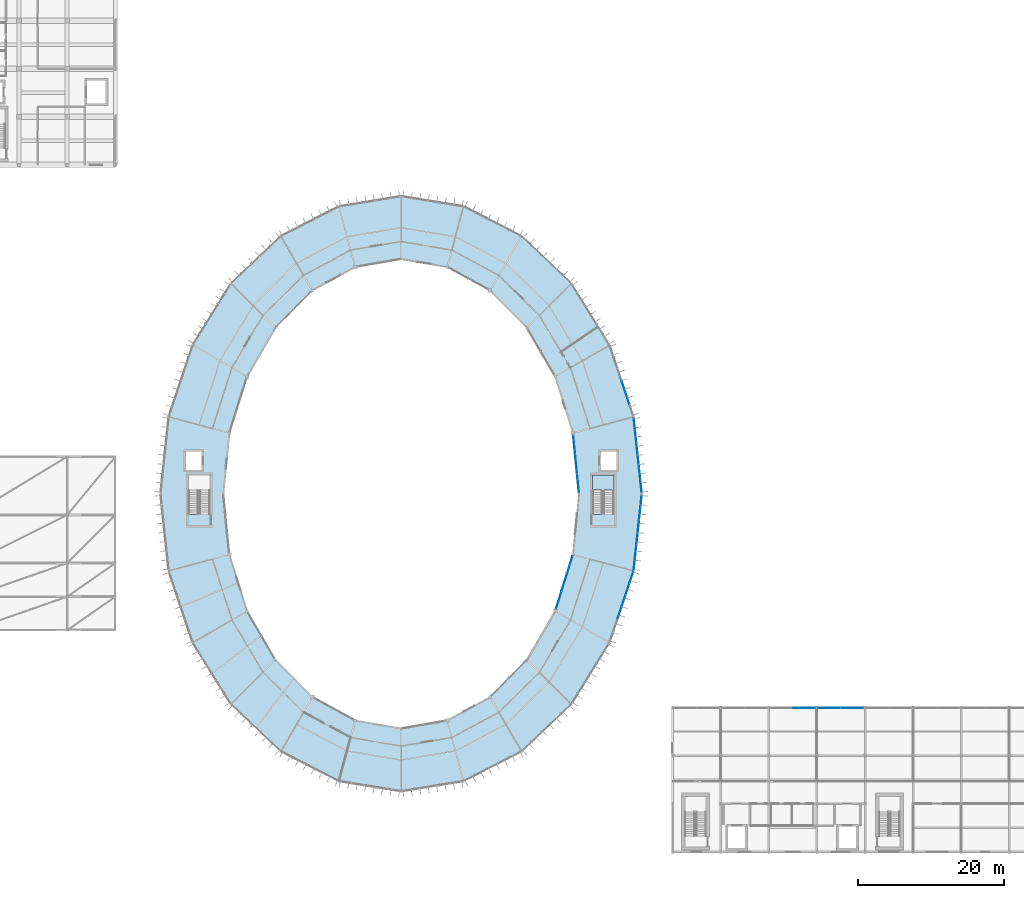
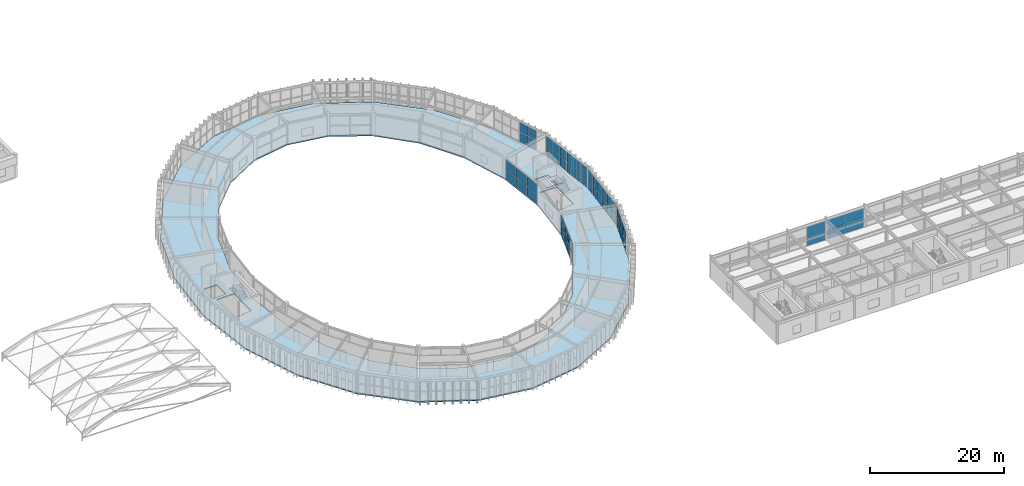
# One storey, part 96 of 134: 54 plates, 2 slabs, 9 elements without a shape of their own.
"""IFC4 building model written with IfcOpenShell, lengths in metres."""

import ifcopenshell
import ifcopenshell.guid

model = None  # the IFC model being written
_history = None  # IfcOwnerHistory: only IFC2X3 demands one
_inside = {}  # id of a spatial element -> (the spatial element, [elements in it])
_under = {}  # id of a project, library or spatial element -> (it, [spatial elements below it])
_declared = {}  # id of a project -> (the project, [libraries it declares])
_typed = {}  # id of a type object -> (the type object, [elements of that type])
_made_of = {}  # id of a material, layer set ... -> (it, [elements and type objects made of it])


def new_model(schema):
    """Start an empty IFC model of exactly this schema.

    Asked for "IFC4X3", IfcOpenShell would pick the latest addendum, in which some entities
    have other attributes; the version numbers below select the first issue.
    IFC2X3 requires an IfcOwnerHistory on every rooted entity: one is made here for all.
    """
    global model, _history
    if schema == "IFC4X3":
        model = ifcopenshell.file(schema_version=(4, 3, 0, 0))
    else:
        model = ifcopenshell.file(schema=schema)
    _inside.clear()
    _under.clear()
    _declared.clear()
    _typed.clear()
    _made_of.clear()
    _history = None
    if model.schema == "IFC2X3":
        org = make("IfcOrganization", Name="unknown")
        user = make(
            "IfcPersonAndOrganization",
            ThePerson=make("IfcPerson", FamilyName="unknown"),
            TheOrganization=org,
        )
        app = make(
            "IfcApplication",
            ApplicationDeveloper=org,
            Version="unknown",
            ApplicationFullName="unknown",
            ApplicationIdentifier="unknown",
        )
        _history = make(
            "IfcOwnerHistory",
            OwningUser=user,
            OwningApplication=app,
            ChangeAction="ADDED",
            CreationDate=0,
        )
    return model


def make(cls, **values):
    """One entity of the class cls with the attributes given. An attribute that is None is left unset."""
    return model.create_entity(
        cls, **{name: value for name, value in values.items() if value is not None}
    )


def rooted(cls, **values):
    """An entity with a GlobalId (a new one), such as an element, a storey or a relation."""
    return make(cls, GlobalId=ifcopenshell.guid.new(), OwnerHistory=_history, **values)


def si_unit(unit_type, name, prefix=None):
    """IfcSIUnit, for example si_unit("LENGTHUNIT", "METRE", prefix="MILLI")."""
    return make("IfcSIUnit", UnitType=unit_type, Prefix=prefix, Name=name)


def assignment(units):
    """IfcUnitAssignment: the units of a project."""
    return None if units is None else make("IfcUnitAssignment", Units=units)


def point(xyz):
    """IfcCartesianPoint."""
    return None if xyz is None else make("IfcCartesianPoint", Coordinates=xyz)


def direction(xyz):
    """IfcDirection."""
    return None if xyz is None else make("IfcDirection", DirectionRatios=xyz)


def frame(location, z_axis=None, x_axis=None):
    """IfcAxis2Placement3D, a coordinate frame: its origin and axes. An axis left out is left unset."""
    return make(
        "IfcAxis2Placement3D",
        Location=point(location),
        Axis=direction(z_axis),
        RefDirection=direction(x_axis),
    )


def frame_2d(location, x_axis=None):
    """IfcAxis2Placement2D, a coordinate frame in the plane: its origin and x axis."""
    return make(
        "IfcAxis2Placement2D", Location=point(location), RefDirection=direction(x_axis)
    )


def origin():
    """The frame at (0, 0, 0) with its axes left unset."""
    return frame((0.0, 0.0, 0.0))


def origin_2d():
    """The frame at (0, 0) in the plane with its x axis left unset."""
    return frame_2d((0.0, 0.0))


def place(relative_to, where):
    """IfcLocalPlacement: puts the frame where relative to a parent placement (None: the world)."""
    return make(
        "IfcLocalPlacement", PlacementRelTo=relative_to, RelativePlacement=where
    )


def context(
    kind, dimensions, precision=None, world=None, true_north=None, identifier=None
):
    """IfcGeometricRepresentationContext, for example the 3D "Model" context."""
    return make(
        "IfcGeometricRepresentationContext",
        ContextIdentifier=identifier,
        ContextType=kind,
        CoordinateSpaceDimension=dimensions,
        Precision=precision,
        WorldCoordinateSystem=world,
        TrueNorth=true_north,
    )


def subcontext(parent, identifier, kind, view, scale=None):
    """IfcGeometricRepresentationSubContext, for example "Body" below "Model"."""
    return make(
        "IfcGeometricRepresentationSubContext",
        ContextIdentifier=identifier,
        ContextType=kind,
        ParentContext=parent,
        TargetScale=scale,
        TargetView=view,
    )


def project(units=None, contexts=None):
    """IfcProject with its units and contexts."""
    return rooted(
        "IfcProject",
        Name="project",
        RepresentationContexts=contexts,
        UnitsInContext=assignment(units),
    )


def spatial(cls, under=None, at=None, **own):
    """A site, building, storey or space (cls), placed at a placement, below another one or the project."""
    s = rooted(cls, ObjectPlacement=at, **own)
    if under is not None:
        _under.setdefault(under.id(), (under, []))[1].append(s)
    return s


def polyline(points):
    """IfcPolyline through the points."""
    return make("IfcPolyline", Points=[point(p) for p in points])


def profile(cls, at=None, kind="AREA", **sizes):
    """A parametric profile (cls). Its sizes go by their IFC names, for example OverallWidth=200.0."""
    return make(cls, ProfileType=kind, Position=at, **sizes)


def rectangle(**sizes):
    """IfcRectangleProfileDef."""
    return profile("IfcRectangleProfileDef", **sizes)


def outline(outer, holes=None, kind="AREA"):
    """IfcArbitraryClosedProfileDef: a profile drawn as a closed curve; with holes, ...WithVoids."""
    if holes is None:
        return make("IfcArbitraryClosedProfileDef", ProfileType=kind, OuterCurve=outer)
    return make(
        "IfcArbitraryProfileDefWithVoids",
        ProfileType=kind,
        OuterCurve=outer,
        InnerCurves=holes,
    )


def extrude(swept, where, along, depth):
    """IfcExtrudedAreaSolid: the profile swept, set in the frame where, extruded along a direction by depth."""
    return make(
        "IfcExtrudedAreaSolid",
        SweptArea=swept,
        Position=where,
        ExtrudedDirection=direction(along),
        Depth=depth,
    )


def shape(context_of_items, identifier, shape_type, items):
    """IfcShapeRepresentation: the items that make up one representation, for example the "Body"."""
    return make(
        "IfcShapeRepresentation",
        ContextOfItems=context_of_items,
        RepresentationIdentifier=identifier,
        RepresentationType=shape_type,
        Items=items,
    )


def material(Name=None, Category=None):
    """IfcMaterial."""
    return make("IfcMaterial", Name=Name, Category=Category)


def layer(
    of_material, thickness, ventilated=None, Name=None, Category=None, Priority=None
):
    """IfcMaterialLayer: one layer of a wall or slab, of a material (None: an air gap)."""
    return make(
        "IfcMaterialLayer",
        Material=of_material,
        LayerThickness=thickness,
        IsVentilated=ventilated,
        Name=Name,
        Category=Category,
        Priority=Priority,
    )


def layer_set(layers, Name=None):
    """IfcMaterialLayerSet."""
    return make("IfcMaterialLayerSet", MaterialLayers=layers, LayerSetName=Name)


def made_of(thing, what):
    """Note that an element or type object is made of a material, layer set ...; save() writes the relation."""
    if what is not None:
        _made_of.setdefault(what.id(), (what, []))[1].append(thing)
    return thing


def type_object(cls, material=None, **own):
    """A type object (cls), such as IfcWallType, which elements share."""
    return made_of(rooted(cls, **own), material)


def element(
    cls,
    number,
    at=None,
    inside=None,
    cuts=None,
    type_object=None,
    material=None,
    context=None,
    identifier="Body",
    shape_type=None,
    held_by="IfcProductDefinitionShape",
    body=None,
    shapes=None,
    **own,
):
    """One element of the class cls, such as IfcWall. Its Tag is "e" and its number.

    at: its placement. inside: the storey or other place that contains it. cuts: it is an
    opening in that element (IfcRelVoidsElement). A single representation is given by context,
    identifier, shape_type and body (its items); several are given by shapes. held_by: the class
    of the entity that holds the representations. save() writes the other relations.
    """
    e = rooted(cls, Tag="e%d" % number, ObjectPlacement=at, **own)
    if body is not None:
        shapes = [shape(context, identifier, shape_type, body)]
    if shapes is not None:
        e.Representation = make(held_by, Representations=shapes)
    if inside is not None:
        _inside.setdefault(inside.id(), (inside, []))[1].append(e)
    if cuts is not None:
        rooted(
            "IfcRelVoidsElement", RelatingBuildingElement=cuts, RelatedOpeningElement=e
        )
    if type_object is not None:
        _typed.setdefault(type_object.id(), (type_object, []))[1].append(e)
    return made_of(e, material)


def aggregate(whole, parts):
    """IfcRelAggregates: a whole, such as a stair, and the parts it consists of."""
    return rooted("IfcRelAggregates", RelatingObject=whole, RelatedObjects=parts)


def save(model, path):
    """Write the relations noted so far, then the file.

    IfcRelAggregates (storeys below a building ...), IfcRelContainedInSpatialStructure (elements
    in a storey), IfcRelDefinesByType, IfcRelAssociatesMaterial and IfcRelDeclares: one each for
    every whole, place, type object, material and project.
    """
    for whole, parts in _under.values():
        aggregate(whole, parts)
    for where, things in _inside.values():
        rooted(
            "IfcRelContainedInSpatialStructure",
            RelatedElements=things,
            RelatingStructure=where,
        )
    for kind, things in _typed.values():
        rooted("IfcRelDefinesByType", RelatedObjects=things, RelatingType=kind)
    for what, things in _made_of.values():
        rooted("IfcRelAssociatesMaterial", RelatedObjects=things, RelatingMaterial=what)
    for by, libraries in _declared.values():
        rooted("IfcRelDeclares", RelatingContext=by, RelatedDefinitions=libraries)
    model.write(path)


model = new_model("IFC4")

# Units and contexts
model_context = context("Model", 3, precision=1e-05, world=origin(), true_north=direction((0.0, 1.0)))
body_context = subcontext(model_context, "Body", "Model", "MODEL_VIEW")
ifc_project = project(units=[si_unit("LENGTHUNIT", "METRE"), si_unit("AREAUNIT", "SQUARE_METRE"), si_unit("VOLUMEUNIT", "CUBIC_METRE"), si_unit("PLANEANGLEUNIT", "RADIAN"), si_unit("MASSUNIT", "GRAM", prefix="KILO")], contexts=[model_context])

# Site, building, storey
site_placement = place(None, origin())
site = spatial("IfcSite", under=ifc_project, at=site_placement, CompositionType="ELEMENT")
building_placement = place(site_placement, origin())
building = spatial("IfcBuilding", under=site, at=building_placement, Name="Karori Crest Natural Sciences Institute", CompositionType="ELEMENT")
storey_placement = place(building_placement, frame((0.0, 0.0, 21.699951171875)))
storey = spatial("IfcBuildingStorey", under=building, at=storey_placement, Name="L05", CompositionType="ELEMENT", Elevation=21.699951171875)

# Curtain wall, plates
ifc_material_1 = material(Name="Anodised architectural aluminium 6063-T6", Category="aluminium")
curtain_wall_type_1 = type_object("IfcCurtainWallType", Name="CWT-01", PredefinedType="NOTDEFINED", material=ifc_material_1)
curtain_wall_1_placement = place(storey_placement, origin())
curtain_wall_1 = element("IfcCurtainWall", 1, at=curtain_wall_1_placement, inside=storey, type_object=curtain_wall_type_1, Name="Curtain wall CW-0172", PredefinedType="NOTDEFINED")
ifc_material_2 = material(Name="Double low-E laminated glass", Category="glass")
ifc_layer_1 = layer(ifc_material_2, 0.02392578125, Name="Double low-E laminated glass")
ifc_layer_set_1 = layer_set([ifc_layer_1], Name="Double low-E laminated glass")
plate_type_1 = type_object("IfcPlateType", Name="CWP-01", PredefinedType="CURTAIN_PANEL", material=ifc_layer_set_1)
plate_1_placement = place(storey_placement, frame((98.382080078125, 59.459716796875, 0.06494140625), z_axis=(0.0, 0.0, 1.0), x_axis=(0.105884496939, -0.994378435661, 0.0)))
plate_1 = element("IfcPlate", 2, at=plate_1_placement, type_object=plate_type_1, Name="CW-0172 panel 1.1", PredefinedType="CURTAIN_PANEL", context=body_context, shape_type="SweptSolid", body=[
    extrude(rectangle(XDim=1.630126953125, YDim=0.02392578125, at=origin_2d()), origin(), (0.0, 0.0, 1.0), 1.715087890625),
])
plate_2_placement = place(storey_placement, frame((98.382080078125, 59.459716796875, 1.84521484375), z_axis=(0.0, 0.0, 1.0), x_axis=(0.105884496939, -0.994378435661, 0.0)))
plate_2 = element("IfcPlate", 3, at=plate_2_placement, type_object=plate_type_1, Name="CW-0172 panel 1.2", PredefinedType="CURTAIN_PANEL", context=body_context, shape_type="SweptSolid", body=[
    extrude(rectangle(XDim=1.630126953125, YDim=0.02392578125, at=origin_2d()), origin(), (0.0, 0.0, 1.0), 1.715087890625),
])
plate_3_placement = place(storey_placement, frame((98.563232421875, 57.758056640625, 0.06494140625), z_axis=(0.0, 0.0, 1.0), x_axis=(0.105884496939, -0.994378435661, 0.0)))
plate_3 = element("IfcPlate", 4, at=plate_3_placement, type_object=plate_type_1, Name="CW-0172 panel 2.1", PredefinedType="CURTAIN_PANEL", context=body_context, shape_type="SweptSolid", body=[
    extrude(rectangle(XDim=1.66259765625, YDim=0.02392578125, at=origin_2d()), origin(), (0.0, 0.0, 1.0), 1.715087890625),
])
plate_4_placement = place(storey_placement, frame((98.563232421875, 57.758056640625, 1.84521484375), z_axis=(0.0, 0.0, 1.0), x_axis=(0.105884496939, -0.994378435661, 0.0)))
plate_4 = element("IfcPlate", 5, at=plate_4_placement, type_object=plate_type_1, Name="CW-0172 panel 2.2", PredefinedType="CURTAIN_PANEL", context=body_context, shape_type="SweptSolid", body=[
    extrude(rectangle(XDim=1.66259765625, YDim=0.02392578125, at=origin_2d()), origin(), (0.0, 0.0, 1.0), 1.715087890625),
])
plate_5_placement = place(storey_placement, frame((98.74609375, 56.040283203125, 0.06494140625), z_axis=(0.0, 0.0, 1.0), x_axis=(0.105884496939, -0.994378435661, 0.0)))
plate_5 = element("IfcPlate", 6, at=plate_5_placement, type_object=plate_type_1, Name="CW-0172 panel 3.1", PredefinedType="CURTAIN_PANEL", context=body_context, shape_type="SweptSolid", body=[
    extrude(rectangle(XDim=1.66259765625, YDim=0.02392578125, at=origin_2d()), origin(), (0.0, 0.0, 1.0), 1.715087890625),
])
plate_6_placement = place(storey_placement, frame((98.74609375, 56.040283203125, 1.84521484375), z_axis=(0.0, 0.0, 1.0), x_axis=(0.105884496939, -0.994378435661, 0.0)))
plate_6 = element("IfcPlate", 7, at=plate_6_placement, type_object=plate_type_1, Name="CW-0172 panel 3.2", PredefinedType="CURTAIN_PANEL", context=body_context, shape_type="SweptSolid", body=[
    extrude(rectangle(XDim=1.66259765625, YDim=0.02392578125, at=origin_2d()), origin(), (0.0, 0.0, 1.0), 1.715087890625),
])
plate_7_placement = place(storey_placement, frame((98.92919921875, 54.322509765625, 0.06494140625), z_axis=(0.0, 0.0, 1.0), x_axis=(0.105884496939, -0.994378435661, 0.0)))
plate_7 = element("IfcPlate", 8, at=plate_7_placement, type_object=plate_type_1, Name="CW-0172 panel 4.1", PredefinedType="CURTAIN_PANEL", context=body_context, shape_type="SweptSolid", body=[
    extrude(rectangle(XDim=1.66259765625, YDim=0.02392578125, at=origin_2d()), origin(), (0.0, 0.0, 1.0), 1.715087890625),
])
plate_8_placement = place(storey_placement, frame((98.92919921875, 54.322509765625, 1.84521484375), z_axis=(0.0, 0.0, 1.0), x_axis=(0.105884496939, -0.994378435661, 0.0)))
plate_8 = element("IfcPlate", 9, at=plate_8_placement, type_object=plate_type_1, Name="CW-0172 panel 4.2", PredefinedType="CURTAIN_PANEL", context=body_context, shape_type="SweptSolid", body=[
    extrude(rectangle(XDim=1.66259765625, YDim=0.02392578125, at=origin_2d()), origin(), (0.0, 0.0, 1.0), 1.715087890625),
])
plate_9_placement = place(storey_placement, frame((99.112060546875, 52.604736328125, 0.06494140625), z_axis=(0.0, 0.0, 1.0), x_axis=(0.105884496939, -0.994378435661, 0.0)))
plate_9 = element("IfcPlate", 10, at=plate_9_placement, type_object=plate_type_1, Name="CW-0172 panel 5.1", PredefinedType="CURTAIN_PANEL", context=body_context, shape_type="SweptSolid", body=[
    extrude(rectangle(XDim=1.66259765625, YDim=0.02392578125, at=origin_2d()), origin(), (0.0, 0.0, 1.0), 1.715087890625),
])
plate_10_placement = place(storey_placement, frame((99.112060546875, 52.604736328125, 1.84521484375), z_axis=(0.0, 0.0, 1.0), x_axis=(0.105884496939, -0.994378435661, 0.0)))
plate_10 = element("IfcPlate", 11, at=plate_10_placement, type_object=plate_type_1, Name="CW-0172 panel 5.2", PredefinedType="CURTAIN_PANEL", context=body_context, shape_type="SweptSolid", body=[
    extrude(rectangle(XDim=1.66259765625, YDim=0.02392578125, at=origin_2d()), origin(), (0.0, 0.0, 1.0), 1.715087890625),
])
plate_11_placement = place(storey_placement, frame((99.293212890625, 50.903076171875, 0.06494140625), z_axis=(0.0, 0.0, 1.0), x_axis=(0.105884496939, -0.994378435661, 0.0)))
plate_11 = element("IfcPlate", 12, at=plate_11_placement, type_object=plate_type_1, Name="CW-0172 panel 6.1", PredefinedType="CURTAIN_PANEL", context=body_context, shape_type="SweptSolid", body=[
    extrude(rectangle(XDim=1.630126953125, YDim=0.02392578125, at=origin_2d()), origin(), (0.0, 0.0, 1.0), 1.715087890625),
])
plate_12_placement = place(storey_placement, frame((99.293212890625, 50.903076171875, 1.84521484375), z_axis=(0.0, 0.0, 1.0), x_axis=(0.105884496939, -0.994378435661, 0.0)))
plate_12 = element("IfcPlate", 13, at=plate_12_placement, type_object=plate_type_1, Name="CW-0172 panel 6.2", PredefinedType="CURTAIN_PANEL", context=body_context, shape_type="SweptSolid", body=[
    extrude(rectangle(XDim=1.630126953125, YDim=0.02392578125, at=origin_2d()), origin(), (0.0, 0.0, 1.0), 1.715087890625),
])
aggregate(curtain_wall_1, [plate_1, plate_2, plate_3, plate_4, plate_5, plate_6, plate_7, plate_8, plate_9, plate_10, plate_11, plate_12])

curtain_wall_type_2 = type_object("IfcCurtainWallType", Name="CWT-11", PredefinedType="NOTDEFINED", material=ifc_material_1)
curtain_wall_2_placement = place(storey_placement, origin())
curtain_wall_2 = element("IfcCurtainWall", 14, at=curtain_wall_2_placement, inside=storey, type_object=curtain_wall_type_2, Name="Curtain wall CW-0173", PredefinedType="NOTDEFINED")
plate_13_placement = place(storey_placement, frame((90.65576171875, 51.345458984375, 0.06005859375), z_axis=(0.0, 0.0, 1.0), x_axis=(-0.099268494275, 0.995060684604, 0.0)))
plate_13 = element("IfcPlate", 15, at=plate_13_placement, type_object=plate_type_1, Name="CW-0173 panel 1.1", PredefinedType="CURTAIN_PANEL", context=body_context, shape_type="SweptSolid", body=[
    extrude(rectangle(XDim=2.568359375, YDim=0.02392578125, at=origin_2d()), origin(), (0.0, 0.0, 1.0), 1.735107421875),
])
plate_14_placement = place(storey_placement, frame((90.65576171875, 51.345458984375, 1.85498046875), z_axis=(0.0, 0.0, 1.0), x_axis=(-0.099268494275, 0.995060684604, 0.0)))
plate_14 = element("IfcPlate", 16, at=plate_14_placement, type_object=plate_type_1, Name="CW-0173 panel 1.2", PredefinedType="CURTAIN_PANEL", context=body_context, shape_type="SweptSolid", body=[
    extrude(rectangle(XDim=2.568359375, YDim=0.02392578125, at=origin_2d()), origin(), (0.0, 0.0, 1.0), 1.735107421875),
])
plate_15_placement = place(storey_placement, frame((90.392822265625, 53.98193359375, 0.06005859375), z_axis=(0.0, 0.0, 1.0), x_axis=(-0.099268494275, 0.995060684604, 0.0)))
plate_15 = element("IfcPlate", 17, at=plate_15_placement, type_object=plate_type_1, Name="CW-0173 panel 2.1", PredefinedType="CURTAIN_PANEL", context=body_context, shape_type="SweptSolid", body=[
    extrude(rectangle(XDim=2.600830078125, YDim=0.02392578125, at=origin_2d()), origin(), (0.0, 0.0, 1.0), 1.735107421875),
])
plate_16_placement = place(storey_placement, frame((90.392822265625, 53.98193359375, 1.85498046875), z_axis=(0.0, 0.0, 1.0), x_axis=(-0.099268494275, 0.995060684604, 0.0)))
plate_16 = element("IfcPlate", 18, at=plate_16_placement, type_object=plate_type_1, Name="CW-0173 panel 2.2", PredefinedType="CURTAIN_PANEL", context=body_context, shape_type="SweptSolid", body=[
    extrude(rectangle(XDim=2.600830078125, YDim=0.02392578125, at=origin_2d()), origin(), (0.0, 0.0, 1.0), 1.735107421875),
])
plate_17_placement = place(storey_placement, frame((90.129638671875, 56.618408203125, 0.06005859375), z_axis=(0.0, 0.0, 1.0), x_axis=(-0.099268494275, 0.995060684604, 0.0)))
plate_17 = element("IfcPlate", 19, at=plate_17_placement, type_object=plate_type_1, Name="CW-0173 panel 3.1", PredefinedType="CURTAIN_PANEL", context=body_context, shape_type="SweptSolid", body=[
    extrude(rectangle(XDim=2.568359375, YDim=0.02392578125, at=origin_2d()), origin(), (0.0, 0.0, 1.0), 1.735107421875),
])
plate_18_placement = place(storey_placement, frame((90.129638671875, 56.618408203125, 1.85498046875), z_axis=(0.0, 0.0, 1.0), x_axis=(-0.099268494275, 0.995060684604, 0.0)))
plate_18 = element("IfcPlate", 20, at=plate_18_placement, type_object=plate_type_1, Name="CW-0173 panel 3.2", PredefinedType="CURTAIN_PANEL", context=body_context, shape_type="SweptSolid", body=[
    extrude(rectangle(XDim=2.568359375, YDim=0.02392578125, at=origin_2d()), origin(), (0.0, 0.0, 1.0), 1.735107421875),
])
aggregate(curtain_wall_2, [plate_13, plate_14, plate_15, plate_16, plate_17, plate_18])

curtain_wall_type_3 = type_object("IfcCurtainWallType", Name="CWT-13", PredefinedType="NOTDEFINED", material=ifc_material_1)
curtain_wall_3_placement = place(storey_placement, origin())
curtain_wall_3 = element("IfcCurtainWall", 21, at=curtain_wall_3_placement, inside=storey, type_object=curtain_wall_type_3, Name="Curtain wall CW-0206", PredefinedType="NOTDEFINED")
plate_19_placement = place(storey_placement, frame((88.003173828125, 35.304443359375, 0.06005859375), z_axis=(0.0, 0.0, 1.0), x_axis=(0.299475254154, 0.954104067778, 0.0)))
plate_19 = element("IfcPlate", 22, at=plate_19_placement, type_object=plate_type_1, Name="CW-0206 panel 1.1", PredefinedType="CURTAIN_PANEL", context=body_context, shape_type="SweptSolid", body=[
    extrude(rectangle(XDim=2.451171875, YDim=0.02392578125, at=origin_2d()), origin(), (0.0, 0.0, 1.0), 1.735107421875),
])
plate_20_placement = place(storey_placement, frame((88.003173828125, 35.304443359375, 1.85498046875), z_axis=(0.0, 0.0, 1.0), x_axis=(0.299475254154, 0.954104067778, 0.0)))
plate_20 = element("IfcPlate", 23, at=plate_20_placement, type_object=plate_type_1, Name="CW-0206 panel 1.2", PredefinedType="CURTAIN_PANEL", context=body_context, shape_type="SweptSolid", body=[
    extrude(rectangle(XDim=2.451171875, YDim=0.02392578125, at=origin_2d()), origin(), (0.0, 0.0, 1.0), 1.735107421875),
])
plate_21_placement = place(storey_placement, frame((88.761474609375, 37.720458984375, 0.06005859375), z_axis=(0.0, 0.0, 1.0), x_axis=(0.299475254154, 0.954104067778, 0.0)))
plate_21 = element("IfcPlate", 24, at=plate_21_placement, type_object=plate_type_1, Name="CW-0206 panel 2.1", PredefinedType="CURTAIN_PANEL", context=body_context, shape_type="SweptSolid", body=[
    extrude(rectangle(XDim=2.483642578125, YDim=0.02392578125, at=origin_2d()), origin(), (0.0, 0.0, 1.0), 1.735107421875),
])
plate_22_placement = place(storey_placement, frame((88.761474609375, 37.720458984375, 1.85498046875), z_axis=(0.0, 0.0, 1.0), x_axis=(0.299475254154, 0.954104067778, 0.0)))
plate_22 = element("IfcPlate", 25, at=plate_22_placement, type_object=plate_type_1, Name="CW-0206 panel 2.2", PredefinedType="CURTAIN_PANEL", context=body_context, shape_type="SweptSolid", body=[
    extrude(rectangle(XDim=2.483642578125, YDim=0.02392578125, at=origin_2d()), origin(), (0.0, 0.0, 1.0), 1.735107421875),
])
plate_23_placement = place(storey_placement, frame((89.52001953125, 40.136474609375, 0.06005859375), z_axis=(0.0, 0.0, 1.0), x_axis=(0.299475254154, 0.954104067778, 0.0)))
plate_23 = element("IfcPlate", 26, at=plate_23_placement, type_object=plate_type_1, Name="CW-0206 panel 3.1", PredefinedType="CURTAIN_PANEL", context=body_context, shape_type="SweptSolid", body=[
    extrude(rectangle(XDim=2.451171875, YDim=0.02392578125, at=origin_2d()), origin(), (0.0, 0.0, 1.0), 1.735107421875),
])
plate_24_placement = place(storey_placement, frame((89.52001953125, 40.136474609375, 1.85498046875), z_axis=(0.0, 0.0, 1.0), x_axis=(0.299475254154, 0.954104067778, 0.0)))
plate_24 = element("IfcPlate", 27, at=plate_24_placement, type_object=plate_type_1, Name="CW-0206 panel 3.2", PredefinedType="CURTAIN_PANEL", context=body_context, shape_type="SweptSolid", body=[
    extrude(rectangle(XDim=2.451171875, YDim=0.02392578125, at=origin_2d()), origin(), (0.0, 0.0, 1.0), 1.735107421875),
])
aggregate(curtain_wall_3, [plate_19, plate_20, plate_21, plate_22, plate_23, plate_24])

curtain_wall_type_4 = type_object("IfcCurtainWallType", Name="CWT-20", PredefinedType="NOTDEFINED", material=ifc_material_1)
curtain_wall_4_placement = place(storey_placement, origin())
curtain_wall_4 = element("IfcCurtainWall", 28, at=curtain_wall_4_placement, inside=storey, type_object=curtain_wall_type_4, Name="Curtain wall CW-0342", PredefinedType="NOTDEFINED")
plate_25_placement = place(storey_placement, frame((121.656982421875, 20.5400390625, 0.06005859375), z_axis=(0.0, 0.0, 1.0), x_axis=(1.0, 0.0, 0.0)))
plate_25 = element("IfcPlate", 29, at=plate_25_placement, type_object=plate_type_1, Name="CW-0342 panel 2.1", PredefinedType="CURTAIN_PANEL", context=body_context, shape_type="SweptSolid", body=[
    extrude(rectangle(XDim=3.049072265625, YDim=0.02392578125, at=origin_2d()), origin(), (0.0, 0.0, 1.0), 1.66259765625),
])
plate_26_placement = place(storey_placement, frame((121.656982421875, 20.5400390625, 1.782470703125), z_axis=(0.0, 0.0, 1.0), x_axis=(1.0, 0.0, 0.0)))
plate_26 = element("IfcPlate", 30, at=plate_26_placement, type_object=plate_type_1, Name="CW-0342 panel 2.2", PredefinedType="CURTAIN_PANEL", context=body_context, shape_type="SweptSolid", body=[
    extrude(rectangle(XDim=3.049072265625, YDim=0.02392578125, at=origin_2d()), origin(), (0.0, 0.0, 1.0), 1.66259765625),
])
aggregate(curtain_wall_4, [plate_25, plate_26])

curtain_wall_5_placement = place(storey_placement, origin())
curtain_wall_5 = element("IfcCurtainWall", 31, at=curtain_wall_5_placement, inside=storey, type_object=curtain_wall_type_4, Name="Curtain wall CW-0343", PredefinedType="NOTDEFINED")
plate_27_placement = place(storey_placement, frame((125.14306640625, 20.5400390625, 0.06005859375), z_axis=(0.0, 0.0, 1.0), x_axis=(1.0, 0.0, 0.0)))
plate_27 = element("IfcPlate", 32, at=plate_27_placement, type_object=plate_type_1, Name="CW-0343 panel 1.1", PredefinedType="CURTAIN_PANEL", context=body_context, shape_type="SweptSolid", body=[
    extrude(rectangle(XDim=3.049072265625, YDim=0.02392578125, at=origin_2d()), origin(), (0.0, 0.0, 1.0), 1.66259765625),
])
plate_28_placement = place(storey_placement, frame((125.14306640625, 20.5400390625, 1.782470703125), z_axis=(0.0, 0.0, 1.0), x_axis=(1.0, 0.0, 0.0)))
plate_28 = element("IfcPlate", 33, at=plate_28_placement, type_object=plate_type_1, Name="CW-0343 panel 1.2", PredefinedType="CURTAIN_PANEL", context=body_context, shape_type="SweptSolid", body=[
    extrude(rectangle(XDim=3.049072265625, YDim=0.02392578125, at=origin_2d()), origin(), (0.0, 0.0, 1.0), 1.66259765625),
])
plate_29_placement = place(storey_placement, frame((128.257080078125, 20.5400390625, 0.06005859375), z_axis=(0.0, 0.0, 1.0), x_axis=(1.0, 0.0, 0.0)))
plate_29 = element("IfcPlate", 34, at=plate_29_placement, type_object=plate_type_1, Name="CW-0343 panel 2.1", PredefinedType="CURTAIN_PANEL", context=body_context, shape_type="SweptSolid", body=[
    extrude(rectangle(XDim=3.049072265625, YDim=0.02392578125, at=origin_2d()), origin(), (0.0, 0.0, 1.0), 1.66259765625),
])
plate_30_placement = place(storey_placement, frame((128.257080078125, 20.5400390625, 1.782470703125), z_axis=(0.0, 0.0, 1.0), x_axis=(1.0, 0.0, 0.0)))
plate_30 = element("IfcPlate", 35, at=plate_30_placement, type_object=plate_type_1, Name="CW-0343 panel 2.2", PredefinedType="CURTAIN_PANEL", context=body_context, shape_type="SweptSolid", body=[
    extrude(rectangle(XDim=3.049072265625, YDim=0.02392578125, at=origin_2d()), origin(), (0.0, 0.0, 1.0), 1.66259765625),
])
aggregate(curtain_wall_5, [plate_27, plate_28, plate_29, plate_30])

curtain_wall_type_5 = type_object("IfcCurtainWallType", Name="CWT-02", PredefinedType="NOTDEFINED", material=ifc_material_1)
curtain_wall_6_placement = place(storey_placement, origin())
curtain_wall_6 = element("IfcCurtainWall", 36, at=curtain_wall_6_placement, inside=storey, type_object=curtain_wall_type_5, Name="Curtain wall CW-0174", PredefinedType="NOTDEFINED")
ifc_layer_2 = layer(ifc_material_2, 0.033935546875, Name="Double low-E laminated glass")
ifc_layer_set_2 = layer_set([ifc_layer_2], Name="Double low-E laminated glass")
plate_type_2 = type_object("IfcPlateType", Name="CWP-02", PredefinedType="CURTAIN_PANEL", material=ifc_layer_set_2)
plate_31_placement = place(storey_placement, frame((96.888427734375, 64.599853515625, 0.06005859375), z_axis=(0.0, 0.0, 1.0), x_axis=(0.317679803392, -0.94819805026, 0.0)))
plate_31 = element("IfcPlate", 37, at=plate_31_placement, type_object=plate_type_2, Name="CW-0174 panel 4.1", PredefinedType="CURTAIN_PANEL", context=body_context, shape_type="SweptSolid", body=[
    extrude(rectangle(XDim=1.628662109375, YDim=0.033935546875, at=origin_2d()), origin(), (0.0, 0.0, 1.0), 1.722412109375),
])
plate_32_placement = place(storey_placement, frame((96.888427734375, 64.599853515625, 1.8427734375), z_axis=(0.0, 0.0, 1.0), x_axis=(0.317679803392, -0.94819805026, 0.0)))
plate_32 = element("IfcPlate", 38, at=plate_32_placement, type_object=plate_type_2, Name="CW-0174 panel 4.2", PredefinedType="CURTAIN_PANEL", context=body_context, shape_type="SweptSolid", body=[
    extrude(rectangle(XDim=1.628662109375, YDim=0.033935546875, at=origin_2d()), origin(), (0.0, 0.0, 1.0), 1.722412109375),
])
plate_33_placement = place(storey_placement, frame((97.426513671875, 62.993896484375, 0.06005859375), z_axis=(0.0, 0.0, 1.0), x_axis=(0.317679803392, -0.94819805026, 0.0)))
plate_33 = element("IfcPlate", 39, at=plate_33_placement, type_object=plate_type_2, Name="CW-0174 panel 5.1", PredefinedType="CURTAIN_PANEL", context=body_context, shape_type="SweptSolid", body=[
    extrude(rectangle(XDim=1.628662109375, YDim=0.033935546875, at=origin_2d()), origin(), (0.0, 0.0, 1.0), 1.722412109375),
])
plate_34_placement = place(storey_placement, frame((97.426513671875, 62.993896484375, 1.8427734375), z_axis=(0.0, 0.0, 1.0), x_axis=(0.317679803392, -0.94819805026, 0.0)))
plate_34 = element("IfcPlate", 40, at=plate_34_placement, type_object=plate_type_2, Name="CW-0174 panel 5.2", PredefinedType="CURTAIN_PANEL", context=body_context, shape_type="SweptSolid", body=[
    extrude(rectangle(XDim=1.628662109375, YDim=0.033935546875, at=origin_2d()), origin(), (0.0, 0.0, 1.0), 1.722412109375),
])
aggregate(curtain_wall_6, [plate_31, plate_32, plate_33, plate_34])

curtain_wall_type_6 = type_object("IfcCurtainWallType", Name="CWT-03", PredefinedType="NOTDEFINED", material=ifc_material_1)
curtain_wall_7_placement = place(storey_placement, origin())
curtain_wall_7 = element("IfcCurtainWall", 41, at=curtain_wall_7_placement, inside=storey, type_object=curtain_wall_type_6, Name="Curtain wall CW-0205", PredefinedType="NOTDEFINED")
plate_35_placement = place(storey_placement, frame((97.974853515625, 38.442626953125, 0.06494140625), z_axis=(0.0, 0.0, 1.0), x_axis=(-0.317679803392, -0.94819805026, 0.0)))
plate_35 = element("IfcPlate", 42, at=plate_35_placement, type_object=plate_type_2, Name="CW-0205 panel 1.1", PredefinedType="CURTAIN_PANEL", context=body_context, shape_type="SweptSolid", body=[
    extrude(rectangle(XDim=1.59619140625, YDim=0.033935546875, at=origin_2d()), origin(), (0.0, 0.0, 1.0), 1.715087890625),
])
plate_36_placement = place(storey_placement, frame((97.974853515625, 38.442626953125, 1.84521484375), z_axis=(0.0, 0.0, 1.0), x_axis=(-0.317679803392, -0.94819805026, 0.0)))
plate_36 = element("IfcPlate", 43, at=plate_36_placement, type_object=plate_type_2, Name="CW-0205 panel 1.2", PredefinedType="CURTAIN_PANEL", context=body_context, shape_type="SweptSolid", body=[
    extrude(rectangle(XDim=1.59619140625, YDim=0.033935546875, at=origin_2d()), origin(), (0.0, 0.0, 1.0), 1.715087890625),
])
plate_37_placement = place(storey_placement, frame((97.44189453125, 36.85205078125, 0.06494140625), z_axis=(0.0, 0.0, 1.0), x_axis=(-0.317679803392, -0.94819805026, 0.0)))
plate_37 = element("IfcPlate", 44, at=plate_37_placement, type_object=plate_type_2, Name="CW-0205 panel 2.1", PredefinedType="CURTAIN_PANEL", context=body_context, shape_type="SweptSolid", body=[
    extrude(rectangle(XDim=1.628662109375, YDim=0.033935546875, at=origin_2d()), origin(), (0.0, 0.0, 1.0), 1.715087890625),
])
plate_38_placement = place(storey_placement, frame((97.44189453125, 36.85205078125, 1.84521484375), z_axis=(0.0, 0.0, 1.0), x_axis=(-0.317679803392, -0.94819805026, 0.0)))
plate_38 = element("IfcPlate", 45, at=plate_38_placement, type_object=plate_type_2, Name="CW-0205 panel 2.2", PredefinedType="CURTAIN_PANEL", context=body_context, shape_type="SweptSolid", body=[
    extrude(rectangle(XDim=1.628662109375, YDim=0.033935546875, at=origin_2d()), origin(), (0.0, 0.0, 1.0), 1.715087890625),
])
plate_39_placement = place(storey_placement, frame((96.904052734375, 35.24609375, 0.06494140625), z_axis=(0.0, 0.0, 1.0), x_axis=(-0.317679803392, -0.94819805026, 0.0)))
plate_39 = element("IfcPlate", 46, at=plate_39_placement, type_object=plate_type_2, Name="CW-0205 panel 3.1", PredefinedType="CURTAIN_PANEL", context=body_context, shape_type="SweptSolid", body=[
    extrude(rectangle(XDim=1.628662109375, YDim=0.033935546875, at=origin_2d()), origin(), (0.0, 0.0, 1.0), 1.715087890625),
])
plate_40_placement = place(storey_placement, frame((96.904052734375, 35.24609375, 1.84521484375), z_axis=(0.0, 0.0, 1.0), x_axis=(-0.317679803392, -0.94819805026, 0.0)))
plate_40 = element("IfcPlate", 47, at=plate_40_placement, type_object=plate_type_2, Name="CW-0205 panel 3.2", PredefinedType="CURTAIN_PANEL", context=body_context, shape_type="SweptSolid", body=[
    extrude(rectangle(XDim=1.628662109375, YDim=0.033935546875, at=origin_2d()), origin(), (0.0, 0.0, 1.0), 1.715087890625),
])
plate_41_placement = place(storey_placement, frame((96.365966796875, 33.64013671875, 0.06494140625), z_axis=(0.0, 0.0, 1.0), x_axis=(-0.317679803392, -0.94819805026, 0.0)))
plate_41 = element("IfcPlate", 48, at=plate_41_placement, type_object=plate_type_2, Name="CW-0205 panel 4.1", PredefinedType="CURTAIN_PANEL", context=body_context, shape_type="SweptSolid", body=[
    extrude(rectangle(XDim=1.628662109375, YDim=0.033935546875, at=origin_2d()), origin(), (0.0, 0.0, 1.0), 1.715087890625),
])
plate_42_placement = place(storey_placement, frame((96.365966796875, 33.64013671875, 1.84521484375), z_axis=(0.0, 0.0, 1.0), x_axis=(-0.317679803392, -0.94819805026, 0.0)))
plate_42 = element("IfcPlate", 49, at=plate_42_placement, type_object=plate_type_2, Name="CW-0205 panel 4.2", PredefinedType="CURTAIN_PANEL", context=body_context, shape_type="SweptSolid", body=[
    extrude(rectangle(XDim=1.628662109375, YDim=0.033935546875, at=origin_2d()), origin(), (0.0, 0.0, 1.0), 1.715087890625),
])
aggregate(curtain_wall_7, [plate_35, plate_36, plate_37, plate_38, plate_39, plate_40, plate_41, plate_42])

curtain_wall_type_7 = type_object("IfcCurtainWallType", Name="CWT-04", PredefinedType="NOTDEFINED", material=ifc_material_1)
curtain_wall_8_placement = place(storey_placement, origin())
curtain_wall_8 = element("IfcCurtainWall", 50, at=curtain_wall_8_placement, inside=storey, type_object=curtain_wall_type_7, Name="Curtain wall CW-0207", PredefinedType="NOTDEFINED")
ifc_layer_3 = layer(ifc_material_2, 0.0439453125, Name="Double low-E laminated glass")
ifc_layer_set_3 = layer_set([ifc_layer_3], Name="Double low-E laminated glass")
plate_type_3 = type_object("IfcPlateType", Name="CWP-03", PredefinedType="CURTAIN_PANEL", material=ifc_layer_set_3)
plate_43_placement = place(storey_placement, frame((99.292724609375, 48.89306640625, 0.06005859375), z_axis=(0.0, 0.0, 1.0), x_axis=(-0.105885677057, -0.994378309998, 0.0)))
plate_43 = element("IfcPlate", 51, at=plate_43_placement, type_object=plate_type_3, Name="CW-0207 panel 1.1", PredefinedType="CURTAIN_PANEL", context=body_context, shape_type="SweptSolid", body=[
    extrude(rectangle(XDim=1.6376953125, YDim=0.0439453125, at=origin_2d()), origin(), (0.0, 0.0, 1.0), 1.722412109375),
])
plate_44_placement = place(storey_placement, frame((99.292724609375, 48.89306640625, 1.8427734375), z_axis=(0.0, 0.0, 1.0), x_axis=(-0.105885677057, -0.994378309998, 0.0)))
plate_44 = element("IfcPlate", 52, at=plate_44_placement, type_object=plate_type_3, Name="CW-0207 panel 1.2", PredefinedType="CURTAIN_PANEL", context=body_context, shape_type="SweptSolid", body=[
    extrude(rectangle(XDim=1.6376953125, YDim=0.0439453125, at=origin_2d()), origin(), (0.0, 0.0, 1.0), 1.722412109375),
])
plate_45_placement = place(storey_placement, frame((99.11083984375, 47.183837890625, 0.06005859375), z_axis=(0.0, 0.0, 1.0), x_axis=(-0.105885677057, -0.994378309998, 0.0)))
plate_45 = element("IfcPlate", 53, at=plate_45_placement, type_object=plate_type_3, Name="CW-0207 panel 2.1", PredefinedType="CURTAIN_PANEL", context=body_context, shape_type="SweptSolid", body=[
    extrude(rectangle(XDim=1.670166015625, YDim=0.0439453125, at=origin_2d()), origin(), (0.0, 0.0, 1.0), 1.722412109375),
])
plate_46_placement = place(storey_placement, frame((99.11083984375, 47.183837890625, 1.8427734375), z_axis=(0.0, 0.0, 1.0), x_axis=(-0.105885677057, -0.994378309998, 0.0)))
plate_46 = element("IfcPlate", 54, at=plate_46_placement, type_object=plate_type_3, Name="CW-0207 panel 2.2", PredefinedType="CURTAIN_PANEL", context=body_context, shape_type="SweptSolid", body=[
    extrude(rectangle(XDim=1.670166015625, YDim=0.0439453125, at=origin_2d()), origin(), (0.0, 0.0, 1.0), 1.722412109375),
])
plate_47_placement = place(storey_placement, frame((98.927001953125, 45.45849609375, 0.06005859375), z_axis=(0.0, 0.0, 1.0), x_axis=(-0.105885677057, -0.994378309998, 0.0)))
plate_47 = element("IfcPlate", 55, at=plate_47_placement, type_object=plate_type_3, Name="CW-0207 panel 3.1", PredefinedType="CURTAIN_PANEL", context=body_context, shape_type="SweptSolid", body=[
    extrude(rectangle(XDim=1.670166015625, YDim=0.0439453125, at=origin_2d()), origin(), (0.0, 0.0, 1.0), 1.722412109375),
])
plate_48_placement = place(storey_placement, frame((98.927001953125, 45.45849609375, 1.8427734375), z_axis=(0.0, 0.0, 1.0), x_axis=(-0.105885677057, -0.994378309998, 0.0)))
plate_48 = element("IfcPlate", 56, at=plate_48_placement, type_object=plate_type_3, Name="CW-0207 panel 3.2", PredefinedType="CURTAIN_PANEL", context=body_context, shape_type="SweptSolid", body=[
    extrude(rectangle(XDim=1.670166015625, YDim=0.0439453125, at=origin_2d()), origin(), (0.0, 0.0, 1.0), 1.722412109375),
])
plate_49_placement = place(storey_placement, frame((98.743408203125, 43.73291015625, 0.06005859375), z_axis=(0.0, 0.0, 1.0), x_axis=(-0.105885677057, -0.994378309998, 0.0)))
plate_49 = element("IfcPlate", 57, at=plate_49_placement, type_object=plate_type_3, Name="CW-0207 panel 4.1", PredefinedType="CURTAIN_PANEL", context=body_context, shape_type="SweptSolid", body=[
    extrude(rectangle(XDim=1.670166015625, YDim=0.0439453125, at=origin_2d()), origin(), (0.0, 0.0, 1.0), 1.722412109375),
])
plate_50_placement = place(storey_placement, frame((98.743408203125, 43.73291015625, 1.8427734375), z_axis=(0.0, 0.0, 1.0), x_axis=(-0.105885677057, -0.994378309998, 0.0)))
plate_50 = element("IfcPlate", 58, at=plate_50_placement, type_object=plate_type_3, Name="CW-0207 panel 4.2", PredefinedType="CURTAIN_PANEL", context=body_context, shape_type="SweptSolid", body=[
    extrude(rectangle(XDim=1.670166015625, YDim=0.0439453125, at=origin_2d()), origin(), (0.0, 0.0, 1.0), 1.722412109375),
])
plate_51_placement = place(storey_placement, frame((98.5595703125, 42.007568359375, 0.06005859375), z_axis=(0.0, 0.0, 1.0), x_axis=(-0.105885677057, -0.994378309998, 0.0)))
plate_51 = element("IfcPlate", 59, at=plate_51_placement, type_object=plate_type_3, Name="CW-0207 panel 5.1", PredefinedType="CURTAIN_PANEL", context=body_context, shape_type="SweptSolid", body=[
    extrude(rectangle(XDim=1.670166015625, YDim=0.0439453125, at=origin_2d()), origin(), (0.0, 0.0, 1.0), 1.722412109375),
])
plate_52_placement = place(storey_placement, frame((98.5595703125, 42.007568359375, 1.8427734375), z_axis=(0.0, 0.0, 1.0), x_axis=(-0.105885677057, -0.994378309998, 0.0)))
plate_52 = element("IfcPlate", 60, at=plate_52_placement, type_object=plate_type_3, Name="CW-0207 panel 5.2", PredefinedType="CURTAIN_PANEL", context=body_context, shape_type="SweptSolid", body=[
    extrude(rectangle(XDim=1.670166015625, YDim=0.0439453125, at=origin_2d()), origin(), (0.0, 0.0, 1.0), 1.722412109375),
])
plate_53_placement = place(storey_placement, frame((98.377685546875, 40.298095703125, 0.06005859375), z_axis=(0.0, 0.0, 1.0), x_axis=(-0.105885677057, -0.994378309998, 0.0)))
plate_53 = element("IfcPlate", 61, at=plate_53_placement, type_object=plate_type_3, Name="CW-0207 panel 6.1", PredefinedType="CURTAIN_PANEL", context=body_context, shape_type="SweptSolid", body=[
    extrude(rectangle(XDim=1.6376953125, YDim=0.0439453125, at=origin_2d()), origin(), (0.0, 0.0, 1.0), 1.722412109375),
])
plate_54_placement = place(storey_placement, frame((98.377685546875, 40.298095703125, 1.8427734375), z_axis=(0.0, 0.0, 1.0), x_axis=(-0.105885677057, -0.994378309998, 0.0)))
plate_54 = element("IfcPlate", 62, at=plate_54_placement, type_object=plate_type_3, Name="CW-0207 panel 6.2", PredefinedType="CURTAIN_PANEL", context=body_context, shape_type="SweptSolid", body=[
    extrude(rectangle(XDim=1.6376953125, YDim=0.0439453125, at=origin_2d()), origin(), (0.0, 0.0, 1.0), 1.722412109375),
])
aggregate(curtain_wall_8, [plate_43, plate_44, plate_45, plate_46, plate_47, plate_48, plate_49, plate_50, plate_51, plate_52, plate_53, plate_54])

# Slab
ifc_material_3 = material(Name="Concrete 40 MPa", Category="concrete")
ifc_layer_4 = layer(ifc_material_3, 0.199951171875, Name="Concrete 40 MPa")
ifc_layer_set_4 = layer_set([ifc_layer_4], Name="Concrete 40 MPa")
slab_type_1 = type_object("IfcSlabType", Name="SLT-08", PredefinedType="FLOOR", material=ifc_layer_set_4)
slab_1_placement = place(storey_placement, frame((0.0, 0.0, -0.199951171875)))
element("IfcSlab", 63, at=slab_1_placement, inside=storey, type_object=slab_type_1, Name="V1 Slab SL-0007", PredefinedType="FLOOR", context=body_context, shape_type="SweptSolid", body=[
    extrude(outline(polyline([(99.39990234375, 49.89990234375), (98.275634765625, 60.459716796875), (94.978759765625, 70.300048828125), (89.734619140625, 78.75), (82.89990234375, 85.23388671875), (74.94091796875, 89.309814453125), (66.39990234375, 90.699951171875), (57.85888671875, 89.309814453125), (49.89990234375, 85.23388671875), (43.0654296875, 78.75), (37.8212890625, 70.300048828125), (34.5244140625, 60.459716796875), (33.39990234375, 49.89990234375), (34.5244140625, 39.340087890625), (37.8212890625, 29.5), (43.0654296875, 21.050048828125), (49.89990234375, 14.566162109375), (57.85888671875, 10.490234375), (66.39990234375, 9.10009765625), (74.94091796875, 10.490234375), (82.89990234375, 14.566162109375), (89.734619140625, 21.050048828125), (94.978759765625, 29.5), (98.275634765625, 39.340087890625), (99.39990234375, 49.89990234375)]), holes=[polyline([(89.968505859375, 41.56591796875), (87.531005859375, 33.800048828125), (83.6533203125, 27.131103515625), (78.60009765625, 22.013916015625), (72.715087890625, 18.797119140625), (66.39990234375, 17.699951171875), (60.084716796875, 18.797119140625), (54.199951171875, 22.013916015625), (49.146484375, 27.131103515625), (45.26904296875, 33.800048828125), (42.831298828125, 41.56591796875), (42.0, 49.89990234375), (42.831298828125, 58.23388671875), (45.26904296875, 66.0), (49.146484375, 72.668701171875), (54.199951171875, 77.785888671875), (60.084716796875, 81.002685546875), (66.39990234375, 82.10009765625), (72.715087890625, 81.002685546875), (78.60009765625, 77.785888671875), (83.6533203125, 72.668701171875), (87.531005859375, 66.0), (89.968505859375, 58.23388671875), (90.800048828125, 49.89990234375), (89.968505859375, 41.56591796875)]), polyline([(95.550048828125, 47.3798828125), (94.10009765625, 47.3798828125), (94.10009765625, 47.1005859375), (92.64990234375, 47.1005859375), (92.64990234375, 52.5), (95.550048828125, 52.5), (95.550048828125, 47.3798828125)]), polyline([(40.14990234375, 47.3798828125), (38.699951171875, 47.3798828125), (38.699951171875, 47.1005859375), (37.25, 47.1005859375), (37.25, 52.5), (40.14990234375, 52.5), (40.14990234375, 47.3798828125)]), polyline([(93.72509765625, 55.77490234375), (95.97509765625, 55.77490234375), (95.97509765625, 53.02490234375), (93.72509765625, 53.02490234375), (93.72509765625, 55.77490234375)]), polyline([(36.824951171875, 55.77490234375), (39.074951171875, 55.77490234375), (39.074951171875, 53.02490234375), (36.824951171875, 53.02490234375), (36.824951171875, 55.77490234375)])]), origin(), (0.0, 0.0, 1.0), 0.199951171875),
])

# Stair, slab
stair_type = type_object("IfcStairType", Name="STT-01", PredefinedType="HALF_TURN_STAIR", material=ifc_material_3)
stair_placement = place(storey_placement, origin())
stair = element("IfcStair", 64, at=stair_placement, inside=storey, type_object=stair_type, Name="Protected stair ST-01-L05", PredefinedType="HALF_TURN_STAIR")
ifc_layer_5 = layer(ifc_material_3, 0.2099609375, Name="Concrete 40 MPa")
ifc_layer_set_5 = layer_set([ifc_layer_5], Name="Concrete 40 MPa")
slab_type_2 = type_object("IfcSlabType", Name="SLT-11", PredefinedType="LANDING", material=ifc_layer_set_5)
slab_2_placement = place(storey_placement, frame((0.0, 0.0, 1.89013671875)))
slab_2 = element("IfcSlab", 65, at=slab_2_placement, type_object=slab_type_2, Name="ST-01-L05 landing 1", PredefinedType="LANDING", context=body_context, shape_type="SweptSolid", body=[
    extrude(outline(polyline([(95.550048828125, 50.39990234375), (95.550048828125, 52.5), (92.64990234375, 52.5), (92.64990234375, 50.39990234375), (95.550048828125, 50.39990234375)])), origin(), (0.0, 0.0, 1.0), 0.2099609375),
])
aggregate(stair, [slab_2])

save(model, "model.ifc")
